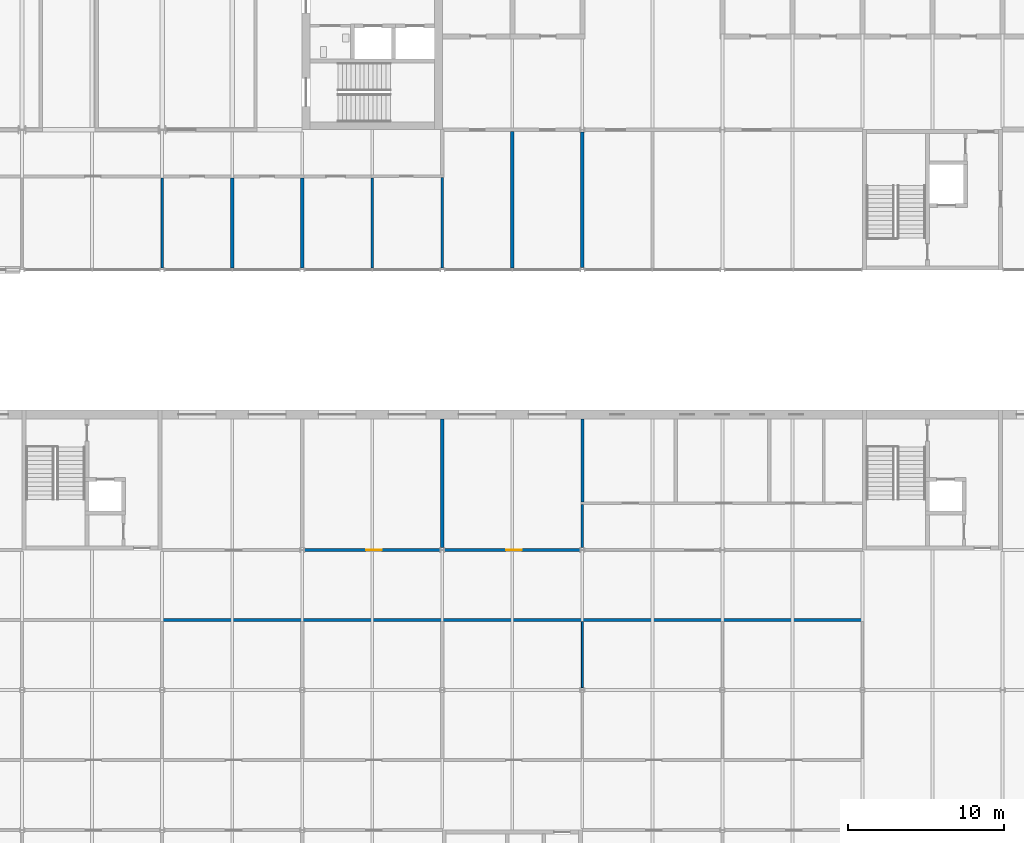
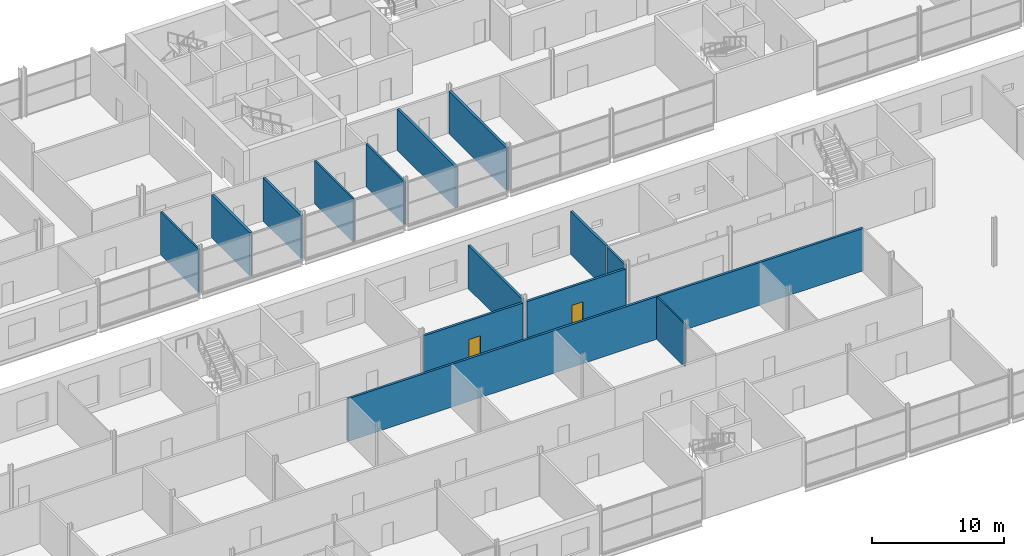
# One storey, part 72 of 97: 14 walls, 2 doors, 2 openings.
"""IFC4 building model written with IfcOpenShell, lengths in metres."""

from ifc_helpers import new_model, si_unit, direction, frame, frame_2d, origin, place, context, subcontext, project, spatial, rectangle, extrude, material, layer, layer_set, type_object, element, fill, save


model = new_model("IFC4")

# Units and contexts
model_context = context("Model", 3, precision=1e-05, world=origin(), true_north=direction((0.0, 1.0)))
body_context = subcontext(model_context, "Body", "Model", "MODEL_VIEW")
ifc_project = project(units=[si_unit("LENGTHUNIT", "METRE"), si_unit("AREAUNIT", "SQUARE_METRE"), si_unit("VOLUMEUNIT", "CUBIC_METRE"), si_unit("PLANEANGLEUNIT", "RADIAN"), si_unit("MASSUNIT", "GRAM", prefix="KILO")], contexts=[model_context])

# Site, building, storey
site_placement = place(None, origin())
site = spatial("IfcSite", under=ifc_project, at=site_placement, CompositionType="ELEMENT")
building_placement = place(site_placement, origin())
building = spatial("IfcBuilding", under=site, at=building_placement, Name="Corbel Yard City Hall", CompositionType="ELEMENT")
storey_placement = place(building_placement, frame((0.0, 0.0, 6.0)))
storey = spatial("IfcBuildingStorey", under=building, at=storey_placement, Name="L01", CompositionType="ELEMENT", Elevation=6.0)

# Walls
ifc_material_1 = material(Name="Gypsum plasterboard", Category="gypsum")
ifc_layer_1 = layer(ifc_material_1, 0.028076171875)
ifc_material_2 = material(Name="Steel Grade G550 (550 MPa yield)", Category="steel")
ifc_layer_2 = layer(ifc_material_2, 0.06396484375)
ifc_layer_3 = layer(ifc_material_1, 0.028076171875)
ifc_layer_set_1 = layer_set([ifc_layer_1, ifc_layer_2, ifc_layer_3], Name="Steel Grade G550 (550 MPa yield)")
wall_type_1 = type_object("IfcWallType", Name="PT1", PredefinedType="PARTITIONING", material=ifc_layer_set_1)
wall_1_placement = place(storey_placement, frame((63.0, 63.157470703125, 0.0), z_axis=(0.0, 0.0, 1.0), x_axis=(0.0, 1.0, 0.0)))
element("IfcWall", 1, at=wall_1_placement, inside=storey, type_object=wall_type_1, Name="Partition", PredefinedType="PARTITIONING", context=body_context, shape_type="SweptSolid", body=[
    extrude(rectangle(XDim=4.242431640625, YDim=0.1201171875, at=frame_2d((2.12109375, 0.0))), origin(), (0.0, 0.0, 1.0), 3.947021484375),
])
ifc_layer_4 = layer(ifc_material_1, 0.031982421875)
ifc_layer_5 = layer(ifc_material_2, 0.135986328125)
ifc_layer_6 = layer(ifc_material_1, 0.031982421875)
ifc_layer_set_2 = layer_set([ifc_layer_4, ifc_layer_5, ifc_layer_6], Name="Steel Grade G550 (550 MPa yield)")
wall_type_2 = type_object("IfcWallType", Name="PT2", PredefinedType="PARTITIONING", material=ifc_layer_set_2)
wall_2_placement = place(storey_placement, frame((35.89990234375, 67.5, 0.0), z_axis=(0.0, 0.0, 1.0), x_axis=(1.0, 0.0, 0.0)))
element("IfcWall", 2, at=wall_2_placement, inside=storey, type_object=wall_type_2, Name="Acoustic wall", PredefinedType="PARTITIONING", context=body_context, shape_type="SweptSolid", body=[
    extrude(rectangle(XDim=45.16015625, YDim=0.199951171875, at=frame_2d((22.580078125, 0.0))), origin(), (0.0, 0.0, 1.0), 3.947021484375),
])

# Wall, opening, door
wall_3_placement = place(storey_placement, frame((45.157470703125, 72.0, 0.0), z_axis=(0.0, 0.0, 1.0), x_axis=(1.0, 0.0, 0.0)))
wall_3 = element("IfcWall", 3, at=wall_3_placement, inside=storey, type_object=wall_type_2, Name="Acoustic wall", PredefinedType="PARTITIONING", context=body_context, shape_type="SweptSolid", body=[
    extrude(rectangle(XDim=8.68505859375, YDim=0.199951171875, at=frame_2d((4.342529296875, 0.0))), origin(), (0.0, 0.0, 1.0), 3.822021484375),
])
opening_1_placement = place(wall_3_placement, frame((3.9423828125, 0.0, 0.0)))
opening_1 = element("IfcOpeningElement", 4, at=opening_1_placement, cuts=wall_3, Name="Opening L01-089", PredefinedType="OPENING", context=body_context, shape_type="SweptSolid", body=[
    extrude(rectangle(XDim=1.0, YDim=2.10009765625, at=frame_2d((0.5, 1.050048828125))), frame((0.0, 0.10986328125, 0.0), z_axis=(0.0, -1.0, 0.0), x_axis=(1.0, 0.0, 0.0)), (0.0, 0.0, 1.0), 0.219970703125),
])
ifc_material_3 = material(Name="Timber", Category="wood")
door_type = type_object("IfcDoorType", Name="D1", OperationType="SINGLE_SWING_LEFT", PredefinedType="DOOR", material=ifc_material_3)
door_1_placement = place(opening_1_placement, origin())
door_1 = element("IfcDoor", 5, at=door_1_placement, inside=storey, type_object=door_type, Name="Door Committee Room 14", OperationType="SINGLE_SWING_RIGHT", OverallHeight=2.10009765625, OverallWidth=1.0, PredefinedType="DOOR", context=body_context, shape_type="SweptSolid", body=[
    extrude(rectangle(XDim=1.0, YDim=2.10009765625, at=frame_2d((0.5, 1.050048828125))), frame((0.0, 0.02490234375, 0.0), z_axis=(0.0, -1.0, 0.0), x_axis=(1.0, 0.0, 0.0)), (0.0, 0.0, 1.0), 0.050048828125),
])
fill(opening_1, door_1)

wall_4_placement = place(storey_placement, frame((54.157470703125, 72.0, 0.0), z_axis=(0.0, 0.0, 1.0), x_axis=(1.0, 0.0, 0.0)))
wall_4 = element("IfcWall", 6, at=wall_4_placement, inside=storey, type_object=wall_type_2, Name="Acoustic wall", PredefinedType="PARTITIONING", context=body_context, shape_type="SweptSolid", body=[
    extrude(rectangle(XDim=8.68505859375, YDim=0.199951171875, at=frame_2d((4.342529296875, 0.0))), origin(), (0.0, 0.0, 1.0), 3.822021484375),
])
opening_2_placement = place(wall_4_placement, frame((3.9423828125, 0.0, 0.0)))
opening_2 = element("IfcOpeningElement", 7, at=opening_2_placement, cuts=wall_4, Name="Opening L01-090", PredefinedType="OPENING", context=body_context, shape_type="SweptSolid", body=[
    extrude(rectangle(XDim=1.0, YDim=2.10009765625, at=frame_2d((0.5, 1.050048828125))), frame((0.0, 0.10986328125, 0.0), z_axis=(0.0, -1.0, 0.0), x_axis=(1.0, 0.0, 0.0)), (0.0, 0.0, 1.0), 0.219970703125),
])
door_2_placement = place(opening_2_placement, origin())
door_2 = element("IfcDoor", 8, at=door_2_placement, inside=storey, type_object=door_type, Name="Door Briefing Room 9", OperationType="SINGLE_SWING_RIGHT", OverallHeight=2.10009765625, OverallWidth=1.0, PredefinedType="DOOR", context=body_context, shape_type="SweptSolid", body=[
    extrude(rectangle(XDim=1.0, YDim=2.10009765625, at=frame_2d((0.5, 1.050048828125))), frame((0.0, 0.02490234375, 0.0), z_axis=(0.0, -1.0, 0.0), x_axis=(1.0, 0.0, 0.0)), (0.0, 0.0, 1.0), 0.050048828125),
])
fill(opening_2, door_2)

# Walls
wall_5_placement = place(storey_placement, frame((54.0, 72.157470703125, 0.0), z_axis=(0.0, 0.0, 1.0), x_axis=(0.0, 1.0, 0.0)))
element("IfcWall", 9, at=wall_5_placement, inside=storey, type_object=wall_type_2, Name="Acoustic wall", PredefinedType="PARTITIONING", context=body_context, shape_type="SweptSolid", body=[
    extrude(rectangle(XDim=8.242431640625, YDim=0.199951171875, at=frame_2d((4.12109375, 0.0))), origin(), (0.0, 0.0, 1.0), 3.998046875),
])
wall_6_placement = place(storey_placement, frame((63.0, 75.080078125, 0.0), z_axis=(0.0, 0.0, 1.0), x_axis=(0.0, 1.0, 0.0)))
element("IfcWall", 10, at=wall_6_placement, inside=storey, type_object=wall_type_2, Name="Acoustic wall", PredefinedType="PARTITIONING", context=body_context, shape_type="SweptSolid", body=[
    extrude(rectangle(XDim=5.31982421875, YDim=0.199951171875, at=frame_2d((2.659912109375, 0.0))), origin(), (0.0, 0.0, 1.0), 3.998046875),
])
ifc_layer_7 = layer(ifc_material_1, 0.031982421875)
ifc_layer_8 = layer(ifc_material_2, 0.095947265625)
ifc_layer_9 = layer(ifc_material_1, 0.031982421875)
ifc_layer_set_3 = layer_set([ifc_layer_7, ifc_layer_8, ifc_layer_9], Name="Steel Grade G550 (550 MPa yield)")
wall_type_3 = type_object("IfcWallType", Name="PT3", PredefinedType="PARTITIONING", material=ifc_layer_set_3)
wall_7_placement = place(storey_placement, frame((63.0, 72.157470703125, 0.0), z_axis=(0.0, 0.0, 1.0), x_axis=(0.0, 1.0, 0.0)))
element("IfcWall", 11, at=wall_7_placement, inside=storey, type_object=wall_type_3, Name="Fire-resisting wall", PredefinedType="PARTITIONING", context=body_context, shape_type="SweptSolid", body=[
    extrude(rectangle(XDim=2.762451171875, YDim=0.159912109375, at=frame_2d((1.38134765625, 0.0))), origin(), (0.0, 0.0, 1.0), 3.998046875),
])
wall_8_placement = place(storey_placement, frame((49.5, 90.10009765625, 0.0), z_axis=(0.0, 0.0, 1.0), x_axis=(0.0, 1.0, 0.0)))
element("IfcWall", 12, at=wall_8_placement, inside=storey, type_object=wall_type_3, Name="Fire-resisting wall", PredefinedType="PARTITIONING", context=body_context, shape_type="SweptSolid", body=[
    extrude(rectangle(XDim=5.7998046875, YDim=0.159912109375, at=frame_2d((2.89990234375, 0.0))), origin(), (0.0, 0.0, 1.0), 3.990966796875),
])
wall_9_placement = place(storey_placement, frame((54.0, 90.1298828125, 0.0), z_axis=(0.0, 0.0, 1.0), x_axis=(0.0, 1.0, 0.0)))
element("IfcWall", 13, at=wall_9_placement, inside=storey, type_object=wall_type_3, Name="Fire-resisting wall", PredefinedType="PARTITIONING", context=body_context, shape_type="SweptSolid", body=[
    extrude(rectangle(XDim=5.7900390625, YDim=0.159912109375, at=frame_2d((2.89501953125, 0.0))), origin(), (0.0, 0.0, 1.0), 3.993896484375),
])
ifc_layer_10 = layer(ifc_material_1, 0.031982421875)
ifc_layer_11 = layer(ifc_material_2, 0.156005859375)
ifc_layer_12 = layer(ifc_material_1, 0.031982421875)
ifc_layer_set_4 = layer_set([ifc_layer_10, ifc_layer_11, ifc_layer_12], Name="Steel Grade G550 (550 MPa yield)")
wall_type_4 = type_object("IfcWallType", Name="PT5", PredefinedType="PLUMBINGWALL", material=ifc_layer_set_4)
wall_10_placement = place(storey_placement, frame((40.5, 90.10009765625, 0.0), z_axis=(0.0, 0.0, 1.0), x_axis=(0.0, 1.0, 0.0)))
element("IfcWall", 14, at=wall_10_placement, inside=storey, type_object=wall_type_4, Name="Wet wall", PredefinedType="PLUMBINGWALL", context=body_context, shape_type="SweptSolid", body=[
    extrude(rectangle(XDim=5.7998046875, YDim=0.219970703125, at=frame_2d((2.89990234375, 0.0))), origin(), (0.0, 0.0, 1.0), 3.998046875),
])
wall_11_placement = place(storey_placement, frame((45.0, 90.1298828125, 0.0), z_axis=(0.0, 0.0, 1.0), x_axis=(0.0, 1.0, 0.0)))
element("IfcWall", 15, at=wall_11_placement, inside=storey, type_object=wall_type_4, Name="Wet wall", PredefinedType="PLUMBINGWALL", context=body_context, shape_type="SweptSolid", body=[
    extrude(rectangle(XDim=5.77001953125, YDim=0.219970703125, at=frame_2d((2.885009765625, 0.0))), origin(), (0.0, 0.0, 1.0), 3.993896484375),
])
wall_12_placement = place(storey_placement, frame((58.5, 90.10009765625, 0.0), z_axis=(0.0, 0.0, 1.0), x_axis=(0.0, 1.0, 0.0)))
element("IfcWall", 16, at=wall_12_placement, inside=storey, type_object=wall_type_4, Name="Wet wall", PredefinedType="PLUMBINGWALL", context=body_context, shape_type="SweptSolid", body=[
    extrude(rectangle(XDim=8.7998046875, YDim=0.219970703125, at=frame_2d((4.39990234375, 0.0))), origin(), (0.0, 0.0, 1.0), 3.822021484375),
])
wall_13_placement = place(storey_placement, frame((63.0, 90.1298828125, 0.0), z_axis=(0.0, 0.0, 1.0), x_axis=(0.0, 1.0, 0.0)))
element("IfcWall", 17, at=wall_13_placement, inside=storey, type_object=wall_type_4, Name="Wet wall", PredefinedType="PLUMBINGWALL", context=body_context, shape_type="SweptSolid", body=[
    extrude(rectangle(XDim=8.712646484375, YDim=0.219970703125, at=frame_2d((4.3564453125, 0.0))), origin(), (0.0, 0.0, 1.0), 3.947021484375),
])
ifc_layer_13 = layer(ifc_material_1, 0.031982421875)
ifc_layer_14 = layer(ifc_material_2, 0.0859375)
ifc_layer_15 = layer(ifc_material_1, 0.031982421875)
ifc_layer_set_5 = layer_set([ifc_layer_13, ifc_layer_14, ifc_layer_15], Name="Steel Grade G550 (550 MPa yield)")
wall_type_5 = type_object("IfcWallType", Name="PT7", PredefinedType="PARTITIONING", material=ifc_layer_set_5)
wall_14_placement = place(storey_placement, frame((36.0, 90.1298828125, 0.0), z_axis=(0.0, 0.0, 1.0), x_axis=(0.0, 1.0, 0.0)))
element("IfcWall", 18, at=wall_14_placement, inside=storey, type_object=wall_type_5, Name="Suite partition", PredefinedType="PARTITIONING", context=body_context, shape_type="SweptSolid", body=[
    extrude(rectangle(XDim=5.77001953125, YDim=0.14990234375, at=frame_2d((2.885009765625, 0.0))), origin(), (0.0, 0.0, 1.0), 3.990966796875),
])

save(model, "model.ifc")
